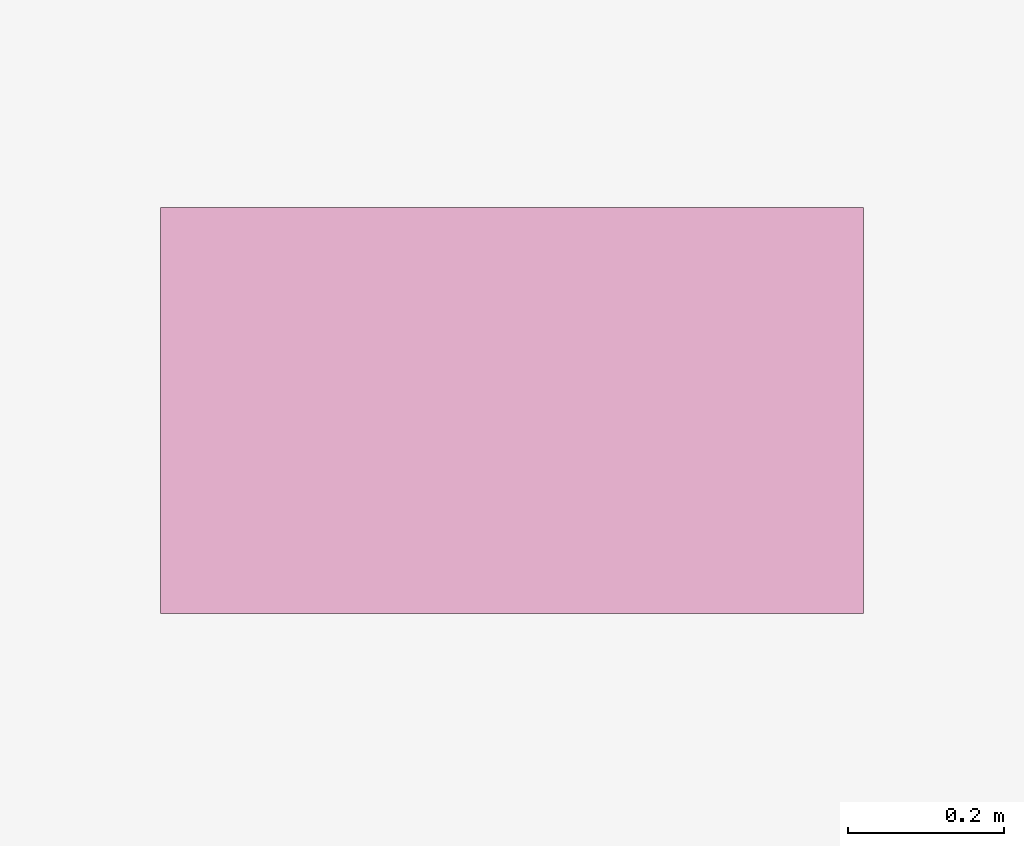
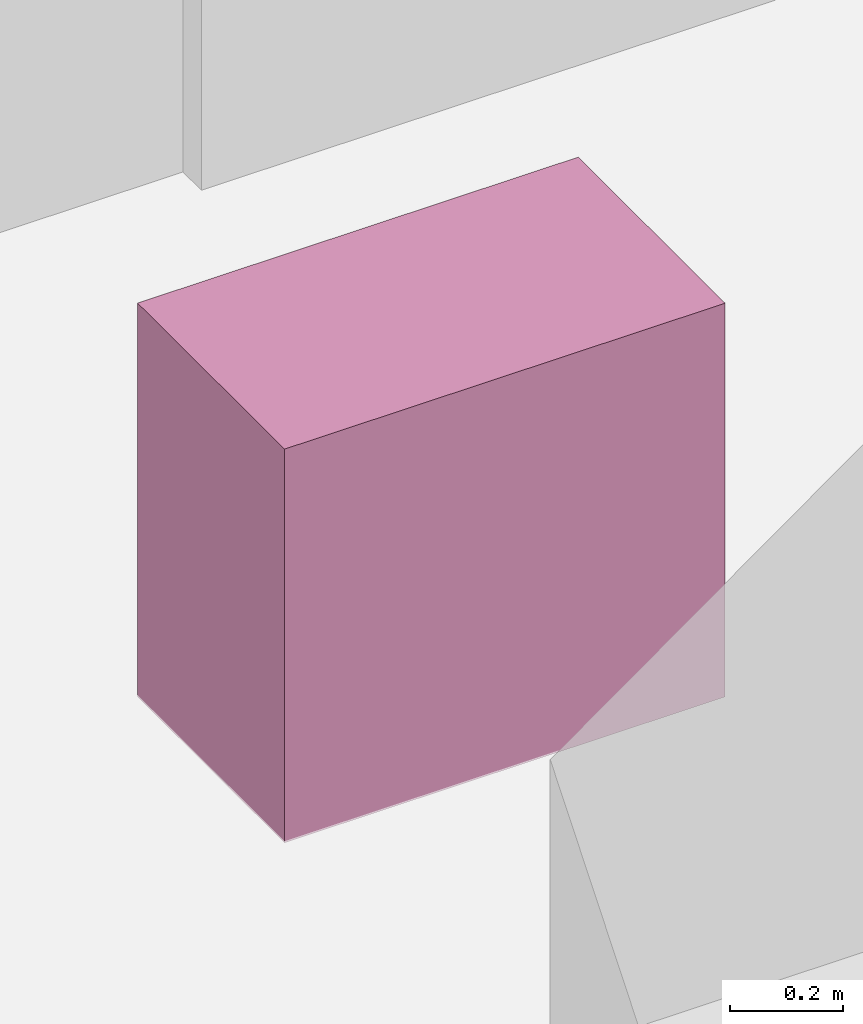
# One storey, part 33 of 33: 1 furnishing.
"""IFC4 building model written with IfcOpenShell, lengths in metres."""

from ifc_helpers import new_model, si_unit, direction, frame, origin, origin_2d, place, context, subcontext, project, spatial, rectangle, extrude, material, type_object, element, save


model = new_model("IFC4")

# Units and contexts
model_context = context("Model", 3, precision=1e-05, world=origin(), true_north=direction((0.0, 1.0)))
body_context = subcontext(model_context, "Body", "Model", "MODEL_VIEW")
ifc_project = project(units=[si_unit("LENGTHUNIT", "METRE"), si_unit("AREAUNIT", "SQUARE_METRE"), si_unit("VOLUMEUNIT", "CUBIC_METRE"), si_unit("PLANEANGLEUNIT", "RADIAN"), si_unit("MASSUNIT", "GRAM", prefix="KILO")], contexts=[model_context])

# Site, building, storey
site_placement = place(None, origin())
site = spatial("IfcSite", under=ifc_project, at=site_placement, CompositionType="ELEMENT")
building_placement = place(site_placement, origin())
building = spatial("IfcBuilding", under=site, at=building_placement, Name="Vorneva Point Tower", CompositionType="ELEMENT")
storey_placement = place(building_placement, frame((0.0, 0.0, 179.10009765625)))
storey = spatial("IfcBuildingStorey", under=building, at=storey_placement, Name="L48", CompositionType="ELEMENT", Elevation=179.10009765625)

# Furnishing
ifc_material = material(Name="Vitreous china and granite top", Category="masonry")
furniture_type = type_object("IfcFurnitureType", Name="FUR-VAN-900", AssemblyPlace="NOTDEFINED", PredefinedType="NOTDEFINED", material=ifc_material)
furnishing_placement = place(storey_placement, frame((35.425048828125, 32.1201171875, -0.005126953125), z_axis=(0.0, 0.0, 1.0), x_axis=(1.0, 0.0, 0.0)))
element("IfcFurnishingElement", 1, at=furnishing_placement, inside=storey, type_object=furniture_type, Name="L48 Accessible WC Vanity Unit", ObjectType="L48 Accessible WC Vanity Unit", context=body_context, shape_type="SweptSolid", body=[
    extrude(rectangle(XDim=0.89990234375, YDim=0.52001953125, at=origin_2d()), origin(), (0.0, 0.0, 1.0), 0.85009765625),
])

save(model, "model.ifc")
